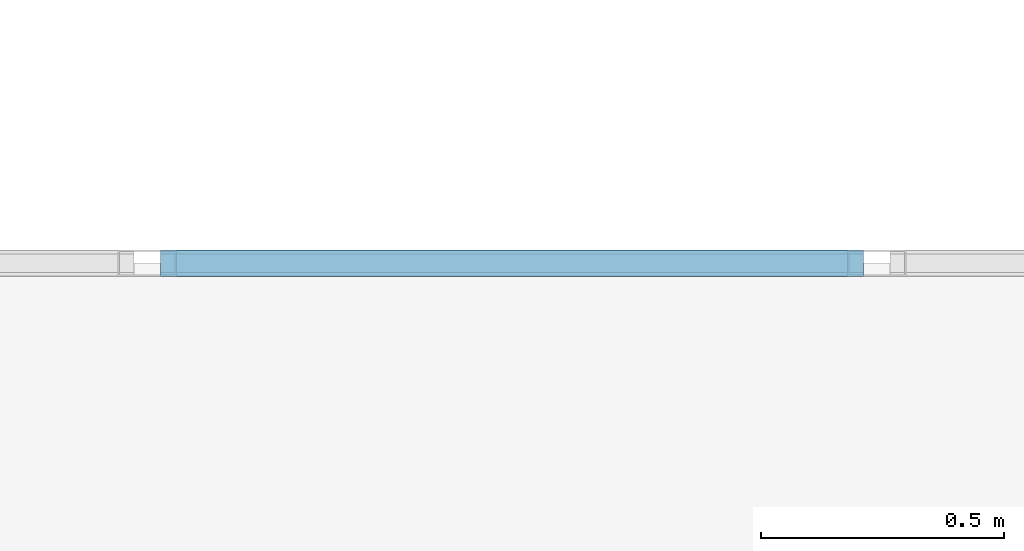
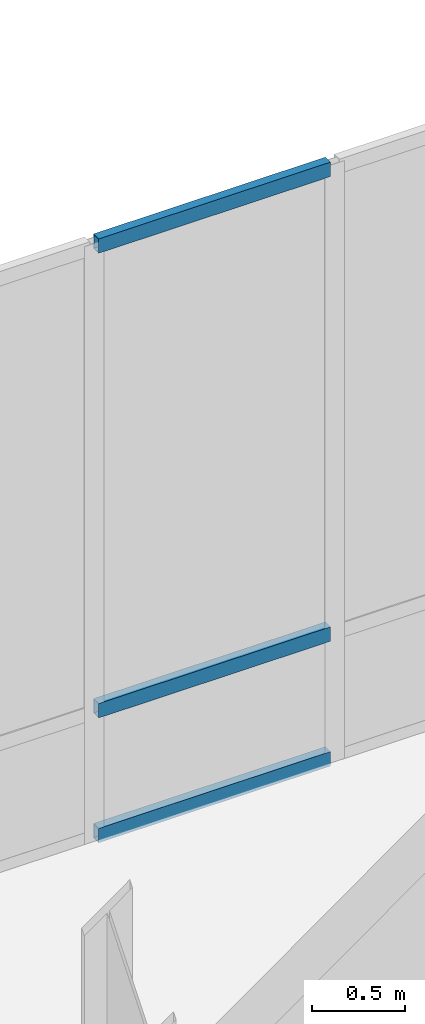
# One storey, part 29 of 108: 3 members, 1 element without a shape of its own.
"""IFC4 building model written with IfcOpenShell, lengths in metres."""

from ifc_helpers import new_model, si_unit, direction, frame, origin, origin_2d, place, context, subcontext, project, spatial, hollow_rectangle, extrude, material, material_profile, profile_set, type_object, element, aggregate, save


model = new_model("IFC4")

# Units and contexts
model_context = context("Model", 3, precision=1e-05, world=origin(), true_north=direction((0.0, 1.0)))
body_context = subcontext(model_context, "Body", "Model", "MODEL_VIEW")
ifc_project = project(units=[si_unit("LENGTHUNIT", "METRE"), si_unit("AREAUNIT", "SQUARE_METRE"), si_unit("VOLUMEUNIT", "CUBIC_METRE"), si_unit("PLANEANGLEUNIT", "RADIAN"), si_unit("MASSUNIT", "GRAM", prefix="KILO")], contexts=[model_context])

# Site, building, storey
site_placement = place(None, origin())
site = spatial("IfcSite", under=ifc_project, at=site_placement, CompositionType="ELEMENT")
building_placement = place(site_placement, origin())
building = spatial("IfcBuilding", under=site, at=building_placement, Name="Lykobir Media Centre", CompositionType="ELEMENT")
storey_placement = place(building_placement, frame((0.0, 0.0, 15.0)))
storey = spatial("IfcBuildingStorey", under=building, at=storey_placement, Name="L03", CompositionType="ELEMENT", Elevation=15.0)

# Curtain wall, members
ifc_material = material(Name="Anodized Aluminium AW-6060", Category="aluminium")
curtain_wall_type = type_object("IfcCurtainWallType", Name="CW-COURT-B", PredefinedType="NOTDEFINED", material=ifc_material)
curtain_wall_placement = place(storey_placement, origin())
curtain_wall = element("IfcCurtainWall", 1, at=curtain_wall_placement, inside=storey, type_object=curtain_wall_type, Name="Curtain wall CW2-L03-0112", PredefinedType="NOTDEFINED")
ifc_material_profile = material_profile(ifc_material, hollow_rectangle(XDim=0.054931640625, YDim=0.094970703125, WallThickness=0.0029296875, at=origin_2d()), Name="ALU TRANSOM 55x95")
ifc_profile_set = profile_set([ifc_material_profile], Name="Anodized Aluminium AW-6060")
member_type = type_object("IfcMemberType", Name="CWT-095", PredefinedType="USERDEFINED", material=ifc_profile_set)
member_1_placement = place(storey_placement, frame((46.527587890625, 21.0, 0.027587890625), z_axis=(1.0, 0.0, 0.0), x_axis=(0.0, 1.0, 0.0)))
member_1 = element("IfcMember", 2, at=member_1_placement, type_object=member_type, Name="CW2-L03-0112 transom 2.1", ObjectType="TRANSOM", PredefinedType="USERDEFINED", context=body_context, shape_type="SweptSolid", body=[
    extrude(hollow_rectangle(XDim=0.054931640625, YDim=0.094970703125, WallThickness=0.0029296875, at=origin_2d()), origin(), (0.0, 0.0, 1.0), 1.44482421875),
])
member_2_placement = place(storey_placement, frame((46.527587890625, 21.0, 0.85009765625), z_axis=(1.0, 0.0, 0.0), x_axis=(0.0, 1.0, 0.0)))
member_2 = element("IfcMember", 3, at=member_2_placement, type_object=member_type, Name="CW2-L03-0112 transom 2.2", ObjectType="TRANSOM", PredefinedType="USERDEFINED", context=body_context, shape_type="SweptSolid", body=[
    extrude(hollow_rectangle(XDim=0.054931640625, YDim=0.094970703125, WallThickness=0.0029296875, at=origin_2d()), origin(), (0.0, 0.0, 1.0), 1.44482421875),
])
member_3_placement = place(storey_placement, frame((46.527587890625, 21.0, 3.91259765625), z_axis=(1.0, 0.0, 0.0), x_axis=(0.0, 1.0, 0.0)))
member_3 = element("IfcMember", 4, at=member_3_placement, type_object=member_type, Name="CW2-L03-0112 transom 2.3", ObjectType="TRANSOM", PredefinedType="USERDEFINED", context=body_context, shape_type="SweptSolid", body=[
    extrude(hollow_rectangle(XDim=0.054931640625, YDim=0.094970703125, WallThickness=0.0029296875, at=origin_2d()), origin(), (0.0, 0.0, 1.0), 1.44482421875),
])
aggregate(curtain_wall, [member_1, member_2, member_3])

save(model, "model.ifc")
